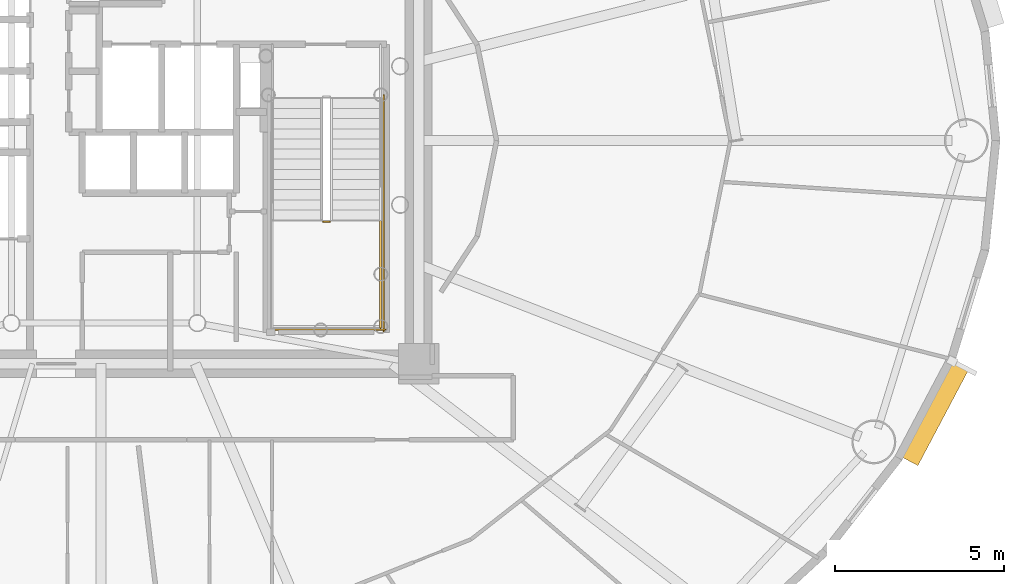
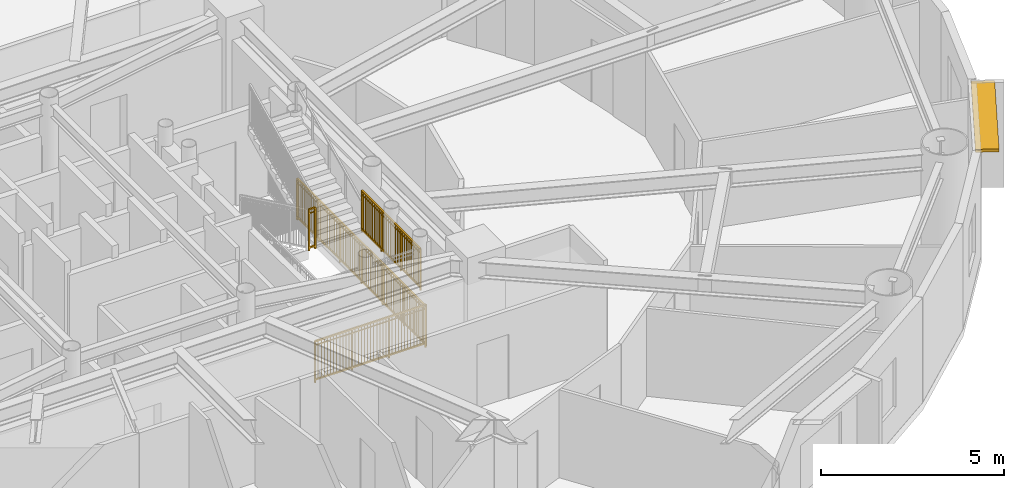
# One storey, part 20 of 21: 4 railings, 1 shading device.
"""IFC4 building model written with IfcOpenShell, lengths in metres."""

from ifc_helpers import new_model, si_unit, direction, frame, origin, origin_2d, place, context, subcontext, project, spatial, rectangle, extrude, source, transform, mapped, material, layer, layer_set, type_object, element, save


model = new_model("IFC4")

# Units and contexts
model_context = context("Model", 3, precision=1e-05, world=origin(), true_north=direction((0.0, 1.0)))
body_context = subcontext(model_context, "Body", "Model", "MODEL_VIEW")
ifc_project = project(units=[si_unit("LENGTHUNIT", "METRE"), si_unit("AREAUNIT", "SQUARE_METRE"), si_unit("VOLUMEUNIT", "CUBIC_METRE"), si_unit("PLANEANGLEUNIT", "RADIAN"), si_unit("MASSUNIT", "GRAM", prefix="KILO")], contexts=[model_context])

# Site, building, storey
site_placement = place(None, origin())
site = spatial("IfcSite", under=ifc_project, at=site_placement, CompositionType="ELEMENT")
building_placement = place(site_placement, origin())
building = spatial("IfcBuilding", under=site, at=building_placement, Name="Linh Dai School and Residence Tower", CompositionType="ELEMENT")
storey_placement = place(building_placement, frame((0.0, 0.0, 171.14990234375)))
storey = spatial("IfcBuildingStorey", under=building, at=storey_placement, Name="L41", CompositionType="ELEMENT", Elevation=171.14990234375)

# Shading device
ifc_material_1 = material(Name="Terracotta Ceramic Sunshade", Category="masonry")
ifc_layer = layer(ifc_material_1, 0.10009765625)
ifc_layer_set = layer_set([ifc_layer], Name="Terracotta Ceramic Sunshade")
shading_device_type = type_object("IfcShadingDeviceType", Name="SHD-TC-650", PredefinedType="USERDEFINED", material=ifc_layer_set)
shared_shape_1 = source(origin(), body_context, "Body", "SweptSolid", [
    extrude(rectangle(XDim=3.257568359375, YDim=0.64990234375, at=origin_2d()), origin(), (0.0, 0.0, 1.0), 0.10009765625),
])
shading_device_placement = place(storey_placement, frame((60.641357421875, 18.97802734375, 3.380126953125), z_axis=(0.0, 0.0, 1.0), x_axis=(-0.467580060884, -0.883950726378, 0.0)))
element("IfcShadingDevice", 1, at=shading_device_placement, inside=storey, type_object=shading_device_type, Name="L41 Terracotta Horizontal Sunshade Band 38", ObjectType="SUNSHADE", PredefinedType="USERDEFINED", context=body_context, shape_type="MappedRepresentation", body=[
    mapped(shared_shape_1, transform((0.0, 0.0, 0.0), x_axis=(1.0, 0.0, 0.0), y_axis=(0.0, 1.0, 0.0), z_axis=(0.0, 0.0, 1.0), scale=1.0)),
])

# Railings
ifc_material_2 = material(Name="Structural Steel S355JR", Category="steel")
railing_type = type_object("IfcRailingType", Name="RL-ST-GUARD-1400", PredefinedType="GUARDRAIL", material=ifc_material_2)
shared_shape_2 = source(origin(), body_context, "Body", "SweptSolid", [
    extrude(rectangle(XDim=0.048095703125, YDim=0.048095703125, at=origin_2d()), frame((0.0, 0.0, 1.3759765625), z_axis=(1.0, 0.0, 0.0), x_axis=(0.0, 1.0, 0.0)), (0.0, 0.0, 1.0), 0.199951171875),
    extrude(rectangle(XDim=0.048095703125, YDim=0.048095703125, at=origin_2d()), frame((0.0, 0.0, 0.10009765625), z_axis=(1.0, 0.0, 0.0), x_axis=(0.0, 1.0, 0.0)), (0.0, 0.0, 1.0), 0.199951171875),
    extrude(rectangle(XDim=0.030029296875, YDim=0.030029296875, at=origin_2d()), frame((0.0, 0.0, 1.239990234375), z_axis=(1.0, 0.0, 0.0), x_axis=(0.0, 1.0, 0.0)), (0.0, 0.0, 1.0), 0.199951171875),
    extrude(rectangle(XDim=0.0419921875, YDim=0.0419921875, at=origin_2d()), origin(), (0.0, 0.0, 1.0), 1.3759765625),
    extrude(rectangle(XDim=0.0419921875, YDim=0.0419921875, at=origin_2d()), frame((0.199951171875, 0.0, 0.0)), (0.0, 0.0, 1.0), 1.3759765625),
])
railing_1_placement = place(storey_placement, frame((42.570068359375, 24.60009765625, 1.875)))
element("IfcRailing", 2, at=railing_1_placement, inside=storey, type_object=railing_type, Name="L41 ST2 stair guard 2", PredefinedType="GUARDRAIL", context=body_context, shape_type="MappedRepresentation", body=[
    mapped(shared_shape_2, transform((0.0, 0.0, 0.0), x_axis=(1.0, 0.0, 0.0), y_axis=(0.0, 1.0, 0.0), z_axis=(0.0, 0.0, 1.0), scale=1.0)),
])
shared_shape_3 = source(origin(), body_context, "Body", "SweptSolid", [
    extrude(rectangle(XDim=0.048095703125, YDim=0.048095703125, at=origin_2d()), frame((0.0, 0.0, 1.3759765625), z_axis=(0.0, -1.0, 0.0), x_axis=(1.0, 0.0, 0.0)), (0.0, 0.0, 1.0), 7.0),
    extrude(rectangle(XDim=0.048095703125, YDim=0.048095703125, at=origin_2d()), frame((0.0, 0.0, 0.10009765625), z_axis=(0.0, -1.0, 0.0), x_axis=(1.0, 0.0, 0.0)), (0.0, 0.0, 1.0), 7.0),
    extrude(rectangle(XDim=0.030029296875, YDim=0.030029296875, at=origin_2d()), frame((0.0, 0.0, 1.239990234375), z_axis=(0.0, -1.0, 0.0), x_axis=(1.0, 0.0, 0.0)), (0.0, 0.0, 1.0), 7.0),
    extrude(rectangle(XDim=0.02001953125, YDim=0.02001953125, at=origin_2d()), frame((0.0, -0.09716796875, 0.10009765625)), (0.0, 0.0, 1.0), 1.251708984375),
    extrude(rectangle(XDim=0.02001953125, YDim=0.02001953125, at=origin_2d()), frame((0.0, -0.1943359375, 0.10009765625)), (0.0, 0.0, 1.0), 1.251708984375),
    extrude(rectangle(XDim=0.02001953125, YDim=0.02001953125, at=origin_2d()), frame((0.0, -0.291748046875, 0.10009765625)), (0.0, 0.0, 1.0), 1.251708984375),
    extrude(rectangle(XDim=0.02001953125, YDim=0.02001953125, at=origin_2d()), frame((0.0, -0.388916015625, 0.10009765625)), (0.0, 0.0, 1.0), 1.251708984375),
    extrude(rectangle(XDim=0.02001953125, YDim=0.02001953125, at=origin_2d()), frame((0.0, -0.486083984375, 0.10009765625)), (0.0, 0.0, 1.0), 1.251708984375),
    extrude(rectangle(XDim=0.02001953125, YDim=0.02001953125, at=origin_2d()), frame((0.0, -0.583251953125, 0.10009765625)), (0.0, 0.0, 1.0), 1.251708984375),
    extrude(rectangle(XDim=0.02001953125, YDim=0.02001953125, at=origin_2d()), frame((0.0, -0.6806640625, 0.10009765625)), (0.0, 0.0, 1.0), 1.251708984375),
    extrude(rectangle(XDim=0.02001953125, YDim=0.02001953125, at=origin_2d()), frame((0.0, -0.77783203125, 0.10009765625)), (0.0, 0.0, 1.0), 1.251708984375),
    extrude(rectangle(XDim=0.02001953125, YDim=0.02001953125, at=origin_2d()), frame((0.0, -0.875, 0.10009765625)), (0.0, 0.0, 1.0), 1.251708984375),
    extrude(rectangle(XDim=0.02001953125, YDim=0.02001953125, at=origin_2d()), frame((0.0, -0.97216796875, 0.10009765625)), (0.0, 0.0, 1.0), 1.251708984375),
    extrude(rectangle(XDim=0.02001953125, YDim=0.02001953125, at=origin_2d()), frame((0.0, -1.0693359375, 0.10009765625)), (0.0, 0.0, 1.0), 1.251708984375),
    extrude(rectangle(XDim=0.02001953125, YDim=0.02001953125, at=origin_2d()), frame((0.0, -1.263916015625, 0.10009765625)), (0.0, 0.0, 1.0), 1.251708984375),
    extrude(rectangle(XDim=0.02001953125, YDim=0.02001953125, at=origin_2d()), frame((0.0, -1.361083984375, 0.10009765625)), (0.0, 0.0, 1.0), 1.251708984375),
    extrude(rectangle(XDim=0.02001953125, YDim=0.02001953125, at=origin_2d()), frame((0.0, -1.458251953125, 0.10009765625)), (0.0, 0.0, 1.0), 1.251708984375),
    extrude(rectangle(XDim=0.02001953125, YDim=0.02001953125, at=origin_2d()), frame((0.0, -1.5556640625, 0.10009765625)), (0.0, 0.0, 1.0), 1.251708984375),
    extrude(rectangle(XDim=0.02001953125, YDim=0.02001953125, at=origin_2d()), frame((0.0, -1.65283203125, 0.10009765625)), (0.0, 0.0, 1.0), 1.251708984375),
    extrude(rectangle(XDim=0.02001953125, YDim=0.02001953125, at=origin_2d()), frame((0.0, -1.75, 0.10009765625)), (0.0, 0.0, 1.0), 1.251708984375),
    extrude(rectangle(XDim=0.02001953125, YDim=0.02001953125, at=origin_2d()), frame((0.0, -1.84716796875, 0.10009765625)), (0.0, 0.0, 1.0), 1.251708984375),
    extrude(rectangle(XDim=0.02001953125, YDim=0.02001953125, at=origin_2d()), frame((0.0, -1.9443359375, 0.10009765625)), (0.0, 0.0, 1.0), 1.251708984375),
    extrude(rectangle(XDim=0.02001953125, YDim=0.02001953125, at=origin_2d()), frame((0.0, -2.041748046875, 0.10009765625)), (0.0, 0.0, 1.0), 1.251708984375),
    extrude(rectangle(XDim=0.02001953125, YDim=0.02001953125, at=origin_2d()), frame((0.0, -2.138916015625, 0.10009765625)), (0.0, 0.0, 1.0), 1.251708984375),
    extrude(rectangle(XDim=0.02001953125, YDim=0.02001953125, at=origin_2d()), frame((0.0, -2.236083984375, 0.10009765625)), (0.0, 0.0, 1.0), 1.251708984375),
    extrude(rectangle(XDim=0.02001953125, YDim=0.02001953125, at=origin_2d()), frame((0.0, -2.4306640625, 0.10009765625)), (0.0, 0.0, 1.0), 1.251708984375),
    extrude(rectangle(XDim=0.02001953125, YDim=0.02001953125, at=origin_2d()), frame((0.0, -2.52783203125, 0.10009765625)), (0.0, 0.0, 1.0), 1.251708984375),
    extrude(rectangle(XDim=0.02001953125, YDim=0.02001953125, at=origin_2d()), frame((0.0, -2.625, 0.10009765625)), (0.0, 0.0, 1.0), 1.251708984375),
    extrude(rectangle(XDim=0.02001953125, YDim=0.02001953125, at=origin_2d()), frame((0.0, -2.72216796875, 0.10009765625)), (0.0, 0.0, 1.0), 1.251708984375),
    extrude(rectangle(XDim=0.02001953125, YDim=0.02001953125, at=origin_2d()), frame((0.0, -2.8193359375, 0.10009765625)), (0.0, 0.0, 1.0), 1.251708984375),
    extrude(rectangle(XDim=0.02001953125, YDim=0.02001953125, at=origin_2d()), frame((0.0, -2.916748046875, 0.10009765625)), (0.0, 0.0, 1.0), 1.251708984375),
    extrude(rectangle(XDim=0.02001953125, YDim=0.02001953125, at=origin_2d()), frame((0.0, -3.013916015625, 0.10009765625)), (0.0, 0.0, 1.0), 1.251708984375),
    extrude(rectangle(XDim=0.02001953125, YDim=0.02001953125, at=origin_2d()), frame((0.0, -3.111083984375, 0.10009765625)), (0.0, 0.0, 1.0), 1.251708984375),
    extrude(rectangle(XDim=0.02001953125, YDim=0.02001953125, at=origin_2d()), frame((0.0, -3.208251953125, 0.10009765625)), (0.0, 0.0, 1.0), 1.251708984375),
    extrude(rectangle(XDim=0.02001953125, YDim=0.02001953125, at=origin_2d()), frame((0.0, -3.3056640625, 0.10009765625)), (0.0, 0.0, 1.0), 1.251708984375),
    extrude(rectangle(XDim=0.02001953125, YDim=0.02001953125, at=origin_2d()), frame((0.0, -3.40283203125, 0.10009765625)), (0.0, 0.0, 1.0), 1.251708984375),
    extrude(rectangle(XDim=0.02001953125, YDim=0.02001953125, at=origin_2d()), frame((0.0, -3.59716796875, 0.10009765625)), (0.0, 0.0, 1.0), 1.251708984375),
    extrude(rectangle(XDim=0.02001953125, YDim=0.02001953125, at=origin_2d()), frame((0.0, -3.6943359375, 0.10009765625)), (0.0, 0.0, 1.0), 1.251708984375),
    extrude(rectangle(XDim=0.02001953125, YDim=0.02001953125, at=origin_2d()), frame((0.0, -3.791748046875, 0.10009765625)), (0.0, 0.0, 1.0), 1.251708984375),
    extrude(rectangle(XDim=0.02001953125, YDim=0.02001953125, at=origin_2d()), frame((0.0, -3.888916015625, 0.10009765625)), (0.0, 0.0, 1.0), 1.251708984375),
    extrude(rectangle(XDim=0.02001953125, YDim=0.02001953125, at=origin_2d()), frame((0.0, -3.986083984375, 0.10009765625)), (0.0, 0.0, 1.0), 1.251708984375),
    extrude(rectangle(XDim=0.02001953125, YDim=0.02001953125, at=origin_2d()), frame((0.0, -4.083251953125, 0.10009765625)), (0.0, 0.0, 1.0), 1.251708984375),
    extrude(rectangle(XDim=0.02001953125, YDim=0.02001953125, at=origin_2d()), frame((0.0, -4.1806640625, 0.10009765625)), (0.0, 0.0, 1.0), 1.251708984375),
    extrude(rectangle(XDim=0.02001953125, YDim=0.02001953125, at=origin_2d()), frame((0.0, -4.27783203125, 0.10009765625)), (0.0, 0.0, 1.0), 1.251708984375),
    extrude(rectangle(XDim=0.02001953125, YDim=0.02001953125, at=origin_2d()), frame((0.0, -4.375, 0.10009765625)), (0.0, 0.0, 1.0), 1.251708984375),
    extrude(rectangle(XDim=0.02001953125, YDim=0.02001953125, at=origin_2d()), frame((0.0, -4.47216796875, 0.10009765625)), (0.0, 0.0, 1.0), 1.251708984375),
    extrude(rectangle(XDim=0.02001953125, YDim=0.02001953125, at=origin_2d()), frame((0.0, -4.5693359375, 0.10009765625)), (0.0, 0.0, 1.0), 1.251708984375),
    extrude(rectangle(XDim=0.02001953125, YDim=0.02001953125, at=origin_2d()), frame((0.0, -4.763916015625, 0.10009765625)), (0.0, 0.0, 1.0), 1.251708984375),
    extrude(rectangle(XDim=0.02001953125, YDim=0.02001953125, at=origin_2d()), frame((0.0, -4.861083984375, 0.10009765625)), (0.0, 0.0, 1.0), 1.251708984375),
    extrude(rectangle(XDim=0.02001953125, YDim=0.02001953125, at=origin_2d()), frame((0.0, -4.958251953125, 0.10009765625)), (0.0, 0.0, 1.0), 1.251708984375),
    extrude(rectangle(XDim=0.02001953125, YDim=0.02001953125, at=origin_2d()), frame((0.0, -5.0556640625, 0.10009765625)), (0.0, 0.0, 1.0), 1.251708984375),
    extrude(rectangle(XDim=0.02001953125, YDim=0.02001953125, at=origin_2d()), frame((0.0, -5.15283203125, 0.10009765625)), (0.0, 0.0, 1.0), 1.251708984375),
    extrude(rectangle(XDim=0.02001953125, YDim=0.02001953125, at=origin_2d()), frame((0.0, -5.25, 0.10009765625)), (0.0, 0.0, 1.0), 1.251708984375),
    extrude(rectangle(XDim=0.02001953125, YDim=0.02001953125, at=origin_2d()), frame((0.0, -5.34716796875, 0.10009765625)), (0.0, 0.0, 1.0), 1.251708984375),
    extrude(rectangle(XDim=0.02001953125, YDim=0.02001953125, at=origin_2d()), frame((0.0, -5.4443359375, 0.10009765625)), (0.0, 0.0, 1.0), 1.251708984375),
    extrude(rectangle(XDim=0.02001953125, YDim=0.02001953125, at=origin_2d()), frame((0.0, -5.541748046875, 0.10009765625)), (0.0, 0.0, 1.0), 1.251708984375),
    extrude(rectangle(XDim=0.02001953125, YDim=0.02001953125, at=origin_2d()), frame((0.0, -5.638916015625, 0.10009765625)), (0.0, 0.0, 1.0), 1.251708984375),
    extrude(rectangle(XDim=0.02001953125, YDim=0.02001953125, at=origin_2d()), frame((0.0, -5.736083984375, 0.10009765625)), (0.0, 0.0, 1.0), 1.251708984375),
    extrude(rectangle(XDim=0.02001953125, YDim=0.02001953125, at=origin_2d()), frame((0.0, -5.9306640625, 0.10009765625)), (0.0, 0.0, 1.0), 1.251708984375),
    extrude(rectangle(XDim=0.02001953125, YDim=0.02001953125, at=origin_2d()), frame((0.0, -6.02783203125, 0.10009765625)), (0.0, 0.0, 1.0), 1.251708984375),
    extrude(rectangle(XDim=0.02001953125, YDim=0.02001953125, at=origin_2d()), frame((0.0, -6.125, 0.10009765625)), (0.0, 0.0, 1.0), 1.251708984375),
    extrude(rectangle(XDim=0.02001953125, YDim=0.02001953125, at=origin_2d()), frame((0.0, -6.22216796875, 0.10009765625)), (0.0, 0.0, 1.0), 1.251708984375),
    extrude(rectangle(XDim=0.02001953125, YDim=0.02001953125, at=origin_2d()), frame((0.0, -6.3193359375, 0.10009765625)), (0.0, 0.0, 1.0), 1.251708984375),
    extrude(rectangle(XDim=0.02001953125, YDim=0.02001953125, at=origin_2d()), frame((0.0, -6.416748046875, 0.10009765625)), (0.0, 0.0, 1.0), 1.251708984375),
    extrude(rectangle(XDim=0.02001953125, YDim=0.02001953125, at=origin_2d()), frame((0.0, -6.513916015625, 0.10009765625)), (0.0, 0.0, 1.0), 1.251708984375),
    extrude(rectangle(XDim=0.02001953125, YDim=0.02001953125, at=origin_2d()), frame((0.0, -6.611083984375, 0.10009765625)), (0.0, 0.0, 1.0), 1.251708984375),
    extrude(rectangle(XDim=0.02001953125, YDim=0.02001953125, at=origin_2d()), frame((0.0, -6.708251953125, 0.10009765625)), (0.0, 0.0, 1.0), 1.251708984375),
    extrude(rectangle(XDim=0.02001953125, YDim=0.02001953125, at=origin_2d()), frame((0.0, -6.8056640625, 0.10009765625)), (0.0, 0.0, 1.0), 1.251708984375),
    extrude(rectangle(XDim=0.02001953125, YDim=0.02001953125, at=origin_2d()), frame((0.0, -6.90283203125, 0.10009765625)), (0.0, 0.0, 1.0), 1.251708984375),
    extrude(rectangle(XDim=0.0419921875, YDim=0.0419921875, at=origin_2d()), origin(), (0.0, 0.0, 1.0), 1.3759765625),
    extrude(rectangle(XDim=0.0419921875, YDim=0.0419921875, at=origin_2d()), frame((0.0, -1.166748046875, 0.0)), (0.0, 0.0, 1.0), 1.3759765625),
    extrude(rectangle(XDim=0.0419921875, YDim=0.0419921875, at=origin_2d()), frame((0.0, -2.333251953125, 0.0)), (0.0, 0.0, 1.0), 1.3759765625),
    extrude(rectangle(XDim=0.0419921875, YDim=0.0419921875, at=origin_2d()), frame((0.0, -3.5, 0.0)), (0.0, 0.0, 1.0), 1.3759765625),
    extrude(rectangle(XDim=0.0419921875, YDim=0.0419921875, at=origin_2d()), frame((0.0, -4.666748046875, 0.0)), (0.0, 0.0, 1.0), 1.3759765625),
    extrude(rectangle(XDim=0.0419921875, YDim=0.0419921875, at=origin_2d()), frame((0.0, -5.833251953125, 0.0)), (0.0, 0.0, 1.0), 1.3759765625),
    extrude(rectangle(XDim=0.0419921875, YDim=0.0419921875, at=origin_2d()), frame((0.0, -7.0, 0.0)), (0.0, 0.0, 1.0), 1.3759765625),
])
railing_2_placement = place(storey_placement, frame((44.3701171875, 28.35009765625, 0.0)))
element("IfcRailing", 3, at=railing_2_placement, inside=storey, type_object=railing_type, Name="L41 ST2 stair guard 11", PredefinedType="GUARDRAIL", context=body_context, shape_type="MappedRepresentation", body=[
    mapped(shared_shape_3, transform((0.0, 0.0, 0.0), x_axis=(1.0, 0.0, 0.0), y_axis=(0.0, 1.0, 0.0), z_axis=(0.0, 0.0, 1.0), scale=1.0)),
])
shared_shape_4 = source(origin(), body_context, "Body", "SweptSolid", [
    extrude(rectangle(XDim=0.048095703125, YDim=0.048095703125, at=origin_2d()), frame((0.0, 0.0, 1.3759765625), z_axis=(1.0, 0.0, 0.0), x_axis=(0.0, 1.0, 0.0)), (0.0, 0.0, 1.0), 3.5),
    extrude(rectangle(XDim=0.048095703125, YDim=0.048095703125, at=origin_2d()), frame((0.0, 0.0, 0.10009765625), z_axis=(1.0, 0.0, 0.0), x_axis=(0.0, 1.0, 0.0)), (0.0, 0.0, 1.0), 3.5),
    extrude(rectangle(XDim=0.030029296875, YDim=0.030029296875, at=origin_2d()), frame((0.0, 0.0, 1.239990234375), z_axis=(1.0, 0.0, 0.0), x_axis=(0.0, 1.0, 0.0)), (0.0, 0.0, 1.0), 3.5),
    extrude(rectangle(XDim=0.02001953125, YDim=0.02001953125, at=origin_2d()), frame((0.09716796875, 0.0, 0.10009765625)), (0.0, 0.0, 1.0), 1.251708984375),
    extrude(rectangle(XDim=0.02001953125, YDim=0.02001953125, at=origin_2d()), frame((0.1943359375, 0.0, 0.10009765625)), (0.0, 0.0, 1.0), 1.251708984375),
    extrude(rectangle(XDim=0.02001953125, YDim=0.02001953125, at=origin_2d()), frame((0.291748046875, 0.0, 0.10009765625)), (0.0, 0.0, 1.0), 1.251708984375),
    extrude(rectangle(XDim=0.02001953125, YDim=0.02001953125, at=origin_2d()), frame((0.388916015625, 0.0, 0.10009765625)), (0.0, 0.0, 1.0), 1.251708984375),
    extrude(rectangle(XDim=0.02001953125, YDim=0.02001953125, at=origin_2d()), frame((0.486083984375, 0.0, 0.10009765625)), (0.0, 0.0, 1.0), 1.251708984375),
    extrude(rectangle(XDim=0.02001953125, YDim=0.02001953125, at=origin_2d()), frame((0.583251953125, 0.0, 0.10009765625)), (0.0, 0.0, 1.0), 1.251708984375),
    extrude(rectangle(XDim=0.02001953125, YDim=0.02001953125, at=origin_2d()), frame((0.6806640625, 0.0, 0.10009765625)), (0.0, 0.0, 1.0), 1.251708984375),
    extrude(rectangle(XDim=0.02001953125, YDim=0.02001953125, at=origin_2d()), frame((0.77783203125, 0.0, 0.10009765625)), (0.0, 0.0, 1.0), 1.251708984375),
    extrude(rectangle(XDim=0.02001953125, YDim=0.02001953125, at=origin_2d()), frame((0.875, 0.0, 0.10009765625)), (0.0, 0.0, 1.0), 1.251708984375),
    extrude(rectangle(XDim=0.02001953125, YDim=0.02001953125, at=origin_2d()), frame((0.97216796875, 0.0, 0.10009765625)), (0.0, 0.0, 1.0), 1.251708984375),
    extrude(rectangle(XDim=0.02001953125, YDim=0.02001953125, at=origin_2d()), frame((1.0693359375, 0.0, 0.10009765625)), (0.0, 0.0, 1.0), 1.251708984375),
    extrude(rectangle(XDim=0.02001953125, YDim=0.02001953125, at=origin_2d()), frame((1.263916015625, 0.0, 0.10009765625)), (0.0, 0.0, 1.0), 1.251708984375),
    extrude(rectangle(XDim=0.02001953125, YDim=0.02001953125, at=origin_2d()), frame((1.361083984375, 0.0, 0.10009765625)), (0.0, 0.0, 1.0), 1.251708984375),
    extrude(rectangle(XDim=0.02001953125, YDim=0.02001953125, at=origin_2d()), frame((1.458251953125, 0.0, 0.10009765625)), (0.0, 0.0, 1.0), 1.251708984375),
    extrude(rectangle(XDim=0.02001953125, YDim=0.02001953125, at=origin_2d()), frame((1.5556640625, 0.0, 0.10009765625)), (0.0, 0.0, 1.0), 1.251708984375),
    extrude(rectangle(XDim=0.02001953125, YDim=0.02001953125, at=origin_2d()), frame((1.65283203125, 0.0, 0.10009765625)), (0.0, 0.0, 1.0), 1.251708984375),
    extrude(rectangle(XDim=0.02001953125, YDim=0.02001953125, at=origin_2d()), frame((1.75, 0.0, 0.10009765625)), (0.0, 0.0, 1.0), 1.251708984375),
    extrude(rectangle(XDim=0.02001953125, YDim=0.02001953125, at=origin_2d()), frame((1.84716796875, 0.0, 0.10009765625)), (0.0, 0.0, 1.0), 1.251708984375),
    extrude(rectangle(XDim=0.02001953125, YDim=0.02001953125, at=origin_2d()), frame((1.9443359375, 0.0, 0.10009765625)), (0.0, 0.0, 1.0), 1.251708984375),
    extrude(rectangle(XDim=0.02001953125, YDim=0.02001953125, at=origin_2d()), frame((2.041748046875, 0.0, 0.10009765625)), (0.0, 0.0, 1.0), 1.251708984375),
    extrude(rectangle(XDim=0.02001953125, YDim=0.02001953125, at=origin_2d()), frame((2.138916015625, 0.0, 0.10009765625)), (0.0, 0.0, 1.0), 1.251708984375),
    extrude(rectangle(XDim=0.02001953125, YDim=0.02001953125, at=origin_2d()), frame((2.236083984375, 0.0, 0.10009765625)), (0.0, 0.0, 1.0), 1.251708984375),
    extrude(rectangle(XDim=0.02001953125, YDim=0.02001953125, at=origin_2d()), frame((2.4306640625, 0.0, 0.10009765625)), (0.0, 0.0, 1.0), 1.251708984375),
    extrude(rectangle(XDim=0.02001953125, YDim=0.02001953125, at=origin_2d()), frame((2.52783203125, 0.0, 0.10009765625)), (0.0, 0.0, 1.0), 1.251708984375),
    extrude(rectangle(XDim=0.02001953125, YDim=0.02001953125, at=origin_2d()), frame((2.625, 0.0, 0.10009765625)), (0.0, 0.0, 1.0), 1.251708984375),
    extrude(rectangle(XDim=0.02001953125, YDim=0.02001953125, at=origin_2d()), frame((2.72216796875, 0.0, 0.10009765625)), (0.0, 0.0, 1.0), 1.251708984375),
    extrude(rectangle(XDim=0.02001953125, YDim=0.02001953125, at=origin_2d()), frame((2.8193359375, 0.0, 0.10009765625)), (0.0, 0.0, 1.0), 1.251708984375),
    extrude(rectangle(XDim=0.02001953125, YDim=0.02001953125, at=origin_2d()), frame((2.916748046875, 0.0, 0.10009765625)), (0.0, 0.0, 1.0), 1.251708984375),
    extrude(rectangle(XDim=0.02001953125, YDim=0.02001953125, at=origin_2d()), frame((3.013916015625, 0.0, 0.10009765625)), (0.0, 0.0, 1.0), 1.251708984375),
    extrude(rectangle(XDim=0.02001953125, YDim=0.02001953125, at=origin_2d()), frame((3.111083984375, 0.0, 0.10009765625)), (0.0, 0.0, 1.0), 1.251708984375),
    extrude(rectangle(XDim=0.02001953125, YDim=0.02001953125, at=origin_2d()), frame((3.208251953125, 0.0, 0.10009765625)), (0.0, 0.0, 1.0), 1.251708984375),
    extrude(rectangle(XDim=0.02001953125, YDim=0.02001953125, at=origin_2d()), frame((3.3056640625, 0.0, 0.10009765625)), (0.0, 0.0, 1.0), 1.251708984375),
    extrude(rectangle(XDim=0.02001953125, YDim=0.02001953125, at=origin_2d()), frame((3.40283203125, 0.0, 0.10009765625)), (0.0, 0.0, 1.0), 1.251708984375),
    extrude(rectangle(XDim=0.0419921875, YDim=0.0419921875, at=origin_2d()), origin(), (0.0, 0.0, 1.0), 1.3759765625),
    extrude(rectangle(XDim=0.0419921875, YDim=0.0419921875, at=origin_2d()), frame((1.166748046875, 0.0, 0.0)), (0.0, 0.0, 1.0), 1.3759765625),
    extrude(rectangle(XDim=0.0419921875, YDim=0.0419921875, at=origin_2d()), frame((2.333251953125, 0.0, 0.0)), (0.0, 0.0, 1.0), 1.3759765625),
    extrude(rectangle(XDim=0.0419921875, YDim=0.0419921875, at=origin_2d()), frame((3.5, 0.0, 0.0)), (0.0, 0.0, 1.0), 1.3759765625),
])
railing_3_placement = place(storey_placement, frame((40.919921875, 21.39990234375, 0.0)))
element("IfcRailing", 4, at=railing_3_placement, inside=storey, type_object=railing_type, Name="L41 ST2 stair guard 12", PredefinedType="GUARDRAIL", context=body_context, shape_type="MappedRepresentation", body=[
    mapped(shared_shape_4, transform((0.0, 0.0, 0.0), x_axis=(1.0, 0.0, 0.0), y_axis=(0.0, 1.0, 0.0), z_axis=(0.0, 0.0, 1.0), scale=1.0)),
])
shared_shape_5 = source(origin(), body_context, "Body", "SweptSolid", [
    extrude(rectangle(XDim=0.048095703125, YDim=0.048095703125, at=origin_2d()), frame((0.0, 0.0, 1.3759765625), z_axis=(0.0, -1.0, 0.0), x_axis=(1.0, 0.0, 0.0)), (0.0, 0.0, 1.0), 3.199951171875),
    extrude(rectangle(XDim=0.048095703125, YDim=0.048095703125, at=origin_2d()), frame((0.0, 0.0, 0.10009765625), z_axis=(0.0, -1.0, 0.0), x_axis=(1.0, 0.0, 0.0)), (0.0, 0.0, 1.0), 3.199951171875),
    extrude(rectangle(XDim=0.030029296875, YDim=0.030029296875, at=origin_2d()), frame((0.0, 0.0, 1.239990234375), z_axis=(0.0, -1.0, 0.0), x_axis=(1.0, 0.0, 0.0)), (0.0, 0.0, 1.0), 3.199951171875),
    extrude(rectangle(XDim=0.02001953125, YDim=0.02001953125, at=origin_2d()), frame((0.0, -0.096923828125, 0.10009765625)), (0.0, 0.0, 1.0), 1.251708984375),
    extrude(rectangle(XDim=0.02001953125, YDim=0.02001953125, at=origin_2d()), frame((0.0, -0.19384765625, 0.10009765625)), (0.0, 0.0, 1.0), 1.251708984375),
    extrude(rectangle(XDim=0.02001953125, YDim=0.02001953125, at=origin_2d()), frame((0.0, -0.291015625, 0.10009765625)), (0.0, 0.0, 1.0), 1.251708984375),
    extrude(rectangle(XDim=0.02001953125, YDim=0.02001953125, at=origin_2d()), frame((0.0, -0.387939453125, 0.10009765625)), (0.0, 0.0, 1.0), 1.251708984375),
    extrude(rectangle(XDim=0.02001953125, YDim=0.02001953125, at=origin_2d()), frame((0.0, -0.48486328125, 0.10009765625)), (0.0, 0.0, 1.0), 1.251708984375),
    extrude(rectangle(XDim=0.02001953125, YDim=0.02001953125, at=origin_2d()), frame((0.0, -0.581787109375, 0.10009765625)), (0.0, 0.0, 1.0), 1.251708984375),
    extrude(rectangle(XDim=0.02001953125, YDim=0.02001953125, at=origin_2d()), frame((0.0, -0.6787109375, 0.10009765625)), (0.0, 0.0, 1.0), 1.251708984375),
    extrude(rectangle(XDim=0.02001953125, YDim=0.02001953125, at=origin_2d()), frame((0.0, -0.775634765625, 0.10009765625)), (0.0, 0.0, 1.0), 1.251708984375),
    extrude(rectangle(XDim=0.02001953125, YDim=0.02001953125, at=origin_2d()), frame((0.0, -0.872802734375, 0.10009765625)), (0.0, 0.0, 1.0), 1.251708984375),
    extrude(rectangle(XDim=0.02001953125, YDim=0.02001953125, at=origin_2d()), frame((0.0, -0.9697265625, 0.10009765625)), (0.0, 0.0, 1.0), 1.251708984375),
    extrude(rectangle(XDim=0.02001953125, YDim=0.02001953125, at=origin_2d()), frame((0.0, -1.16357421875, 0.10009765625)), (0.0, 0.0, 1.0), 1.251708984375),
    extrude(rectangle(XDim=0.02001953125, YDim=0.02001953125, at=origin_2d()), frame((0.0, -1.260498046875, 0.10009765625)), (0.0, 0.0, 1.0), 1.251708984375),
    extrude(rectangle(XDim=0.02001953125, YDim=0.02001953125, at=origin_2d()), frame((0.0, -1.357666015625, 0.10009765625)), (0.0, 0.0, 1.0), 1.251708984375),
    extrude(rectangle(XDim=0.02001953125, YDim=0.02001953125, at=origin_2d()), frame((0.0, -1.45458984375, 0.10009765625)), (0.0, 0.0, 1.0), 1.251708984375),
    extrude(rectangle(XDim=0.02001953125, YDim=0.02001953125, at=origin_2d()), frame((0.0, -1.551513671875, 0.10009765625)), (0.0, 0.0, 1.0), 1.251708984375),
    extrude(rectangle(XDim=0.02001953125, YDim=0.02001953125, at=origin_2d()), frame((0.0, -1.6484375, 0.10009765625)), (0.0, 0.0, 1.0), 1.251708984375),
    extrude(rectangle(XDim=0.02001953125, YDim=0.02001953125, at=origin_2d()), frame((0.0, -1.745361328125, 0.10009765625)), (0.0, 0.0, 1.0), 1.251708984375),
    extrude(rectangle(XDim=0.02001953125, YDim=0.02001953125, at=origin_2d()), frame((0.0, -1.84228515625, 0.10009765625)), (0.0, 0.0, 1.0), 1.251708984375),
    extrude(rectangle(XDim=0.02001953125, YDim=0.02001953125, at=origin_2d()), frame((0.0, -1.939453125, 0.10009765625)), (0.0, 0.0, 1.0), 1.251708984375),
    extrude(rectangle(XDim=0.02001953125, YDim=0.02001953125, at=origin_2d()), frame((0.0, -2.036376953125, 0.10009765625)), (0.0, 0.0, 1.0), 1.251708984375),
    extrude(rectangle(XDim=0.02001953125, YDim=0.02001953125, at=origin_2d()), frame((0.0, -2.230224609375, 0.10009765625)), (0.0, 0.0, 1.0), 1.251708984375),
    extrude(rectangle(XDim=0.02001953125, YDim=0.02001953125, at=origin_2d()), frame((0.0, -2.3271484375, 0.10009765625)), (0.0, 0.0, 1.0), 1.251708984375),
    extrude(rectangle(XDim=0.02001953125, YDim=0.02001953125, at=origin_2d()), frame((0.0, -2.42431640625, 0.10009765625)), (0.0, 0.0, 1.0), 1.251708984375),
    extrude(rectangle(XDim=0.02001953125, YDim=0.02001953125, at=origin_2d()), frame((0.0, -2.521240234375, 0.10009765625)), (0.0, 0.0, 1.0), 1.251708984375),
    extrude(rectangle(XDim=0.02001953125, YDim=0.02001953125, at=origin_2d()), frame((0.0, -2.6181640625, 0.10009765625)), (0.0, 0.0, 1.0), 1.251708984375),
    extrude(rectangle(XDim=0.02001953125, YDim=0.02001953125, at=origin_2d()), frame((0.0, -2.715087890625, 0.10009765625)), (0.0, 0.0, 1.0), 1.251708984375),
    extrude(rectangle(XDim=0.02001953125, YDim=0.02001953125, at=origin_2d()), frame((0.0, -2.81201171875, 0.10009765625)), (0.0, 0.0, 1.0), 1.251708984375),
    extrude(rectangle(XDim=0.02001953125, YDim=0.02001953125, at=origin_2d()), frame((0.0, -2.908935546875, 0.10009765625)), (0.0, 0.0, 1.0), 1.251708984375),
    extrude(rectangle(XDim=0.02001953125, YDim=0.02001953125, at=origin_2d()), frame((0.0, -3.006103515625, 0.10009765625)), (0.0, 0.0, 1.0), 1.251708984375),
    extrude(rectangle(XDim=0.02001953125, YDim=0.02001953125, at=origin_2d()), frame((0.0, -3.10302734375, 0.10009765625)), (0.0, 0.0, 1.0), 1.251708984375),
    extrude(rectangle(XDim=0.0419921875, YDim=0.0419921875, at=origin_2d()), origin(), (0.0, 0.0, 1.0), 1.3759765625),
    extrude(rectangle(XDim=0.0419921875, YDim=0.0419921875, at=origin_2d()), frame((0.0, -1.066650390625, 0.0)), (0.0, 0.0, 1.0), 1.3759765625),
    extrude(rectangle(XDim=0.0419921875, YDim=0.0419921875, at=origin_2d()), frame((0.0, -2.13330078125, 0.0)), (0.0, 0.0, 1.0), 1.3759765625),
    extrude(rectangle(XDim=0.0419921875, YDim=0.0419921875, at=origin_2d()), frame((0.0, -3.199951171875, 0.0)), (0.0, 0.0, 1.0), 1.3759765625),
])
railing_4_placement = place(storey_placement, frame((44.27001953125, 24.64990234375, 1.875)))
element("IfcRailing", 5, at=railing_4_placement, inside=storey, type_object=railing_type, Name="L41 ST2 stair guard 4", PredefinedType="GUARDRAIL", context=body_context, shape_type="MappedRepresentation", body=[
    mapped(shared_shape_5, transform((0.0, 0.0, 0.0), x_axis=(1.0, 0.0, 0.0), y_axis=(0.0, 1.0, 0.0), z_axis=(0.0, 0.0, 1.0), scale=1.0)),
])

save(model, "model.ifc")
